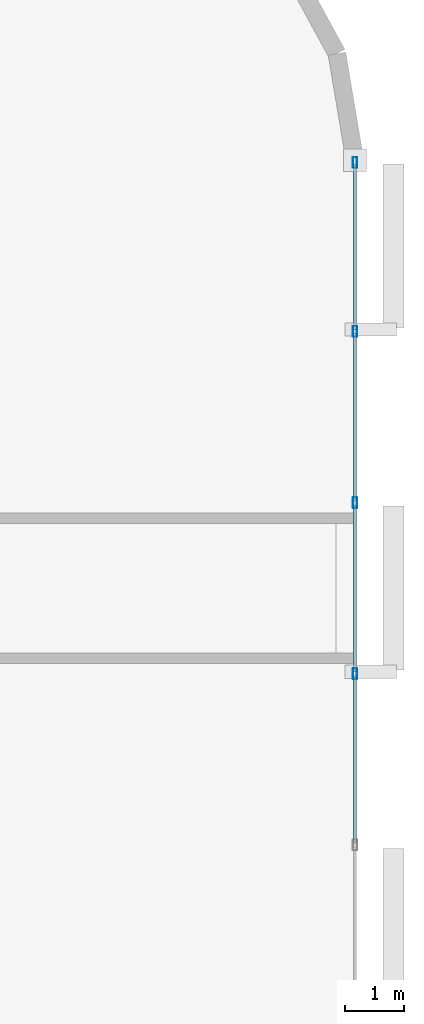
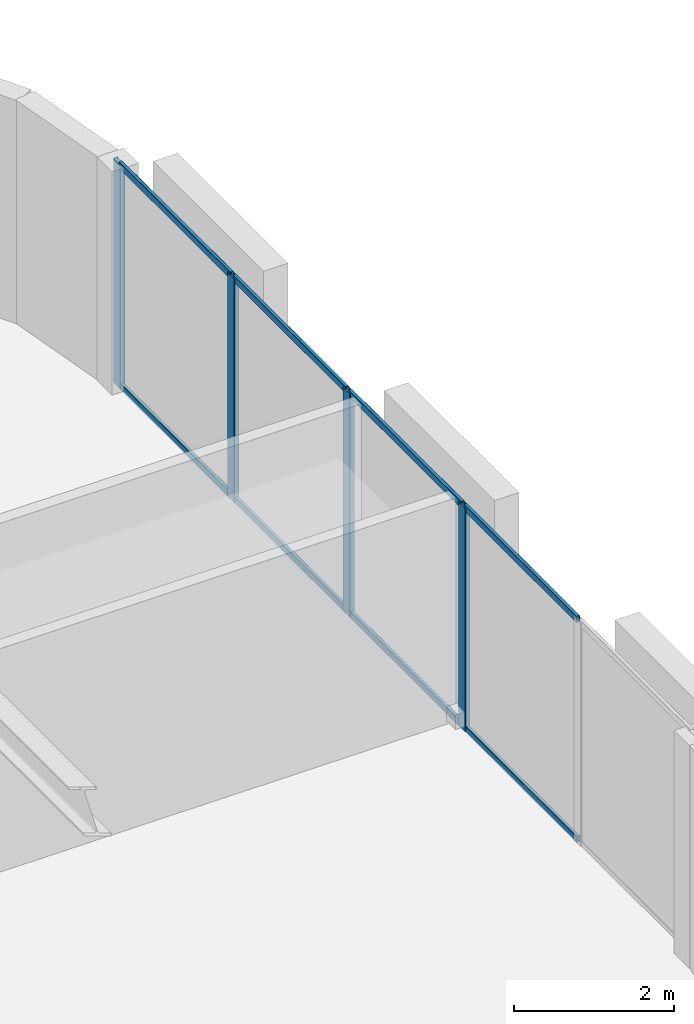
# One storey, part 6 of 15: 12 members, 1 element without a shape of its own.
"""IFC4 building model written with IfcOpenShell, lengths in metres."""

import ifcopenshell
import ifcopenshell.guid

model = None  # the IFC model being written
_history = None  # IfcOwnerHistory: only IFC2X3 demands one
_inside = {}  # id of a spatial element -> (the spatial element, [elements in it])
_under = {}  # id of a project, library or spatial element -> (it, [spatial elements below it])
_declared = {}  # id of a project -> (the project, [libraries it declares])
_typed = {}  # id of a type object -> (the type object, [elements of that type])
_made_of = {}  # id of a material, layer set ... -> (it, [elements and type objects made of it])


def new_model(schema):
    """Start an empty IFC model of exactly this schema.

    Asked for "IFC4X3", IfcOpenShell would pick the latest addendum, in which some entities
    have other attributes; the version numbers below select the first issue.
    IFC2X3 requires an IfcOwnerHistory on every rooted entity: one is made here for all.
    """
    global model, _history
    if schema == "IFC4X3":
        model = ifcopenshell.file(schema_version=(4, 3, 0, 0))
    else:
        model = ifcopenshell.file(schema=schema)
    _inside.clear()
    _under.clear()
    _declared.clear()
    _typed.clear()
    _made_of.clear()
    _history = None
    if model.schema == "IFC2X3":
        org = make("IfcOrganization", Name="unknown")
        user = make(
            "IfcPersonAndOrganization",
            ThePerson=make("IfcPerson", FamilyName="unknown"),
            TheOrganization=org,
        )
        app = make(
            "IfcApplication",
            ApplicationDeveloper=org,
            Version="unknown",
            ApplicationFullName="unknown",
            ApplicationIdentifier="unknown",
        )
        _history = make(
            "IfcOwnerHistory",
            OwningUser=user,
            OwningApplication=app,
            ChangeAction="ADDED",
            CreationDate=0,
        )
    return model


def make(cls, **values):
    """One entity of the class cls with the attributes given. An attribute that is None is left unset."""
    return model.create_entity(
        cls, **{name: value for name, value in values.items() if value is not None}
    )


def rooted(cls, **values):
    """An entity with a GlobalId (a new one), such as an element, a storey or a relation."""
    return make(cls, GlobalId=ifcopenshell.guid.new(), OwnerHistory=_history, **values)


def si_unit(unit_type, name, prefix=None):
    """IfcSIUnit, for example si_unit("LENGTHUNIT", "METRE", prefix="MILLI")."""
    return make("IfcSIUnit", UnitType=unit_type, Prefix=prefix, Name=name)


def assignment(units):
    """IfcUnitAssignment: the units of a project."""
    return None if units is None else make("IfcUnitAssignment", Units=units)


def point(xyz):
    """IfcCartesianPoint."""
    return None if xyz is None else make("IfcCartesianPoint", Coordinates=xyz)


def direction(xyz):
    """IfcDirection."""
    return None if xyz is None else make("IfcDirection", DirectionRatios=xyz)


def frame(location, z_axis=None, x_axis=None):
    """IfcAxis2Placement3D, a coordinate frame: its origin and axes. An axis left out is left unset."""
    return make(
        "IfcAxis2Placement3D",
        Location=point(location),
        Axis=direction(z_axis),
        RefDirection=direction(x_axis),
    )


def frame_2d(location, x_axis=None):
    """IfcAxis2Placement2D, a coordinate frame in the plane: its origin and x axis."""
    return make(
        "IfcAxis2Placement2D", Location=point(location), RefDirection=direction(x_axis)
    )


def origin():
    """The frame at (0, 0, 0) with its axes left unset."""
    return frame((0.0, 0.0, 0.0))


def origin_2d():
    """The frame at (0, 0) in the plane with its x axis left unset."""
    return frame_2d((0.0, 0.0))


def place(relative_to, where):
    """IfcLocalPlacement: puts the frame where relative to a parent placement (None: the world)."""
    return make(
        "IfcLocalPlacement", PlacementRelTo=relative_to, RelativePlacement=where
    )


def context(
    kind, dimensions, precision=None, world=None, true_north=None, identifier=None
):
    """IfcGeometricRepresentationContext, for example the 3D "Model" context."""
    return make(
        "IfcGeometricRepresentationContext",
        ContextIdentifier=identifier,
        ContextType=kind,
        CoordinateSpaceDimension=dimensions,
        Precision=precision,
        WorldCoordinateSystem=world,
        TrueNorth=true_north,
    )


def subcontext(parent, identifier, kind, view, scale=None):
    """IfcGeometricRepresentationSubContext, for example "Body" below "Model"."""
    return make(
        "IfcGeometricRepresentationSubContext",
        ContextIdentifier=identifier,
        ContextType=kind,
        ParentContext=parent,
        TargetScale=scale,
        TargetView=view,
    )


def project(units=None, contexts=None):
    """IfcProject with its units and contexts."""
    return rooted(
        "IfcProject",
        Name="project",
        RepresentationContexts=contexts,
        UnitsInContext=assignment(units),
    )


def spatial(cls, under=None, at=None, **own):
    """A site, building, storey or space (cls), placed at a placement, below another one or the project."""
    s = rooted(cls, ObjectPlacement=at, **own)
    if under is not None:
        _under.setdefault(under.id(), (under, []))[1].append(s)
    return s


def profile(cls, at=None, kind="AREA", **sizes):
    """A parametric profile (cls). Its sizes go by their IFC names, for example OverallWidth=200.0."""
    return make(cls, ProfileType=kind, Position=at, **sizes)


def hollow_rectangle(**sizes):
    """IfcRectangleHollowProfileDef."""
    return profile("IfcRectangleHollowProfileDef", **sizes)


def extrude(swept, where, along, depth):
    """IfcExtrudedAreaSolid: the profile swept, set in the frame where, extruded along a direction by depth."""
    return make(
        "IfcExtrudedAreaSolid",
        SweptArea=swept,
        Position=where,
        ExtrudedDirection=direction(along),
        Depth=depth,
    )


def shape(context_of_items, identifier, shape_type, items):
    """IfcShapeRepresentation: the items that make up one representation, for example the "Body"."""
    return make(
        "IfcShapeRepresentation",
        ContextOfItems=context_of_items,
        RepresentationIdentifier=identifier,
        RepresentationType=shape_type,
        Items=items,
    )


def material(Name=None, Category=None):
    """IfcMaterial."""
    return make("IfcMaterial", Name=Name, Category=Category)


def layer(
    of_material, thickness, ventilated=None, Name=None, Category=None, Priority=None
):
    """IfcMaterialLayer: one layer of a wall or slab, of a material (None: an air gap)."""
    return make(
        "IfcMaterialLayer",
        Material=of_material,
        LayerThickness=thickness,
        IsVentilated=ventilated,
        Name=Name,
        Category=Category,
        Priority=Priority,
    )


def layer_set(layers, Name=None):
    """IfcMaterialLayerSet."""
    return make("IfcMaterialLayerSet", MaterialLayers=layers, LayerSetName=Name)


def material_profile(
    of_material, cross_section, Name=None, Category=None, Priority=None
):
    """IfcMaterialProfile: a cross section and its material."""
    return make(
        "IfcMaterialProfile",
        Name=Name,
        Material=of_material,
        Profile=cross_section,
        Priority=Priority,
        Category=Category,
    )


def profile_set(profiles, Name=None, composite=None):
    """IfcMaterialProfileSet."""
    return make(
        "IfcMaterialProfileSet",
        Name=Name,
        MaterialProfiles=profiles,
        CompositeProfile=composite,
    )


def made_of(thing, what):
    """Note that an element or type object is made of a material, layer set ...; save() writes the relation."""
    if what is not None:
        _made_of.setdefault(what.id(), (what, []))[1].append(thing)
    return thing


def type_object(cls, material=None, **own):
    """A type object (cls), such as IfcWallType, which elements share."""
    return made_of(rooted(cls, **own), material)


def element(
    cls,
    number,
    at=None,
    inside=None,
    cuts=None,
    type_object=None,
    material=None,
    context=None,
    identifier="Body",
    shape_type=None,
    held_by="IfcProductDefinitionShape",
    body=None,
    shapes=None,
    **own,
):
    """One element of the class cls, such as IfcWall. Its Tag is "e" and its number.

    at: its placement. inside: the storey or other place that contains it. cuts: it is an
    opening in that element (IfcRelVoidsElement). A single representation is given by context,
    identifier, shape_type and body (its items); several are given by shapes. held_by: the class
    of the entity that holds the representations. save() writes the other relations.
    """
    e = rooted(cls, Tag="e%d" % number, ObjectPlacement=at, **own)
    if body is not None:
        shapes = [shape(context, identifier, shape_type, body)]
    if shapes is not None:
        e.Representation = make(held_by, Representations=shapes)
    if inside is not None:
        _inside.setdefault(inside.id(), (inside, []))[1].append(e)
    if cuts is not None:
        rooted(
            "IfcRelVoidsElement", RelatingBuildingElement=cuts, RelatedOpeningElement=e
        )
    if type_object is not None:
        _typed.setdefault(type_object.id(), (type_object, []))[1].append(e)
    return made_of(e, material)


def aggregate(whole, parts):
    """IfcRelAggregates: a whole, such as a stair, and the parts it consists of."""
    return rooted("IfcRelAggregates", RelatingObject=whole, RelatedObjects=parts)


def save(model, path):
    """Write the relations noted so far, then the file.

    IfcRelAggregates (storeys below a building ...), IfcRelContainedInSpatialStructure (elements
    in a storey), IfcRelDefinesByType, IfcRelAssociatesMaterial and IfcRelDeclares: one each for
    every whole, place, type object, material and project.
    """
    for whole, parts in _under.values():
        aggregate(whole, parts)
    for where, things in _inside.values():
        rooted(
            "IfcRelContainedInSpatialStructure",
            RelatedElements=things,
            RelatingStructure=where,
        )
    for kind, things in _typed.values():
        rooted("IfcRelDefinesByType", RelatedObjects=things, RelatingType=kind)
    for what, things in _made_of.values():
        rooted("IfcRelAssociatesMaterial", RelatedObjects=things, RelatingMaterial=what)
    for by, libraries in _declared.values():
        rooted("IfcRelDeclares", RelatingContext=by, RelatedDefinitions=libraries)
    model.write(path)


model = new_model("IFC4")

# Units and contexts
model_context = context("Model", 3, precision=1e-05, world=origin(), true_north=direction((0.0, 1.0)))
body_context = subcontext(model_context, "Body", "Model", "MODEL_VIEW")
ifc_project = project(units=[si_unit("LENGTHUNIT", "METRE"), si_unit("AREAUNIT", "SQUARE_METRE"), si_unit("VOLUMEUNIT", "CUBIC_METRE"), si_unit("PLANEANGLEUNIT", "RADIAN"), si_unit("MASSUNIT", "GRAM", prefix="KILO")], contexts=[model_context])

# Site, building, storey
site_placement = place(None, origin())
site = spatial("IfcSite", under=ifc_project, at=site_placement, CompositionType="ELEMENT")
building_placement = place(site_placement, origin())
building = spatial("IfcBuilding", under=site, at=building_placement, Name="An Khanh Terracotta Commons", CompositionType="ELEMENT")
storey_placement = place(building_placement, frame((0.0, 0.0, 179.800048828125)))
storey = spatial("IfcBuildingStorey", under=building, at=storey_placement, Name="L47", CompositionType="ELEMENT", Elevation=179.800048828125)

# Curtain wall, members
ifc_material = material(Name="Anodised Aluminium 6063-T6", Category="aluminium")
ifc_layer = layer(ifc_material, 0.2099609375, Name="Anodised Aluminium 6063-T6")
ifc_layer_set = layer_set([ifc_layer], Name="Anodised Aluminium 6063-T6")
curtain_wall_type = type_object("IfcCurtainWallType", Name="CW-SYS-03", PredefinedType="USERDEFINED", material=ifc_layer_set)
curtain_wall_placement = place(storey_placement, origin())
curtain_wall = element("IfcCurtainWall", 1, at=curtain_wall_placement, inside=storey, type_object=curtain_wall_type, Name="L47 CW-03 Unitised Curtain Wall CW-L47-12", ObjectType="UNITISED CURTAIN WALL", PredefinedType="USERDEFINED")
ifc_material_profile_1 = material_profile(ifc_material, hollow_rectangle(XDim=0.070068359375, YDim=0.179931640625, WallThickness=0.00390625, InnerFilletRadius=0.00390625, OuterFilletRadius=0.008056640625, at=origin_2d()), Name="RHS180x70x4")
ifc_profile_set_1 = profile_set([ifc_material_profile_1], Name="Anodised Aluminium 6063-T6")
member_type_1 = type_object("IfcMemberType", Name="CWM-RHS180x70x4", PredefinedType="MULLION", material=ifc_profile_set_1)
member_1_placement = place(storey_placement, frame((63.0, 22.56005859375, 0.0), z_axis=(0.0, 0.0, 1.0), x_axis=(-1.0, 0.0, 0.0)))
member_1 = element("IfcMember", 2, at=member_1_placement, type_object=member_type_1, Name="CW-03 mullion 3", PredefinedType="MULLION", context=body_context, shape_type="SweptSolid", body=[
    extrude(hollow_rectangle(XDim=0.070068359375, YDim=0.179931640625, WallThickness=0.00390625, InnerFilletRadius=0.00390625, OuterFilletRadius=0.008056640625, at=origin_2d()), origin(), (0.0, 0.0, 1.0), 3.39990234375),
])
member_2_placement = place(storey_placement, frame((63.0, 25.43994140625, 0.0), z_axis=(0.0, 0.0, 1.0), x_axis=(-1.0, 0.0, 0.0)))
member_2 = element("IfcMember", 3, at=member_2_placement, type_object=member_type_1, Name="CW-03 mullion 4", PredefinedType="MULLION", context=body_context, shape_type="SweptSolid", body=[
    extrude(hollow_rectangle(XDim=0.070068359375, YDim=0.179931640625, WallThickness=0.00390625, InnerFilletRadius=0.00390625, OuterFilletRadius=0.008056640625, at=origin_2d()), origin(), (0.0, 0.0, 1.0), 3.39990234375),
])
member_3_placement = place(storey_placement, frame((63.0, 28.320068359375, 0.0), z_axis=(0.0, 0.0, 1.0), x_axis=(-1.0, 0.0, 0.0)))
member_3 = element("IfcMember", 4, at=member_3_placement, type_object=member_type_1, Name="CW-03 mullion 5", PredefinedType="MULLION", context=body_context, shape_type="SweptSolid", body=[
    extrude(hollow_rectangle(XDim=0.070068359375, YDim=0.179931640625, WallThickness=0.00390625, InnerFilletRadius=0.00390625, OuterFilletRadius=0.008056640625, at=origin_2d()), origin(), (0.0, 0.0, 1.0), 3.39990234375),
])
member_4_placement = place(storey_placement, frame((63.0, 31.1650390625, 0.0), z_axis=(0.0, 0.0, 1.0), x_axis=(-1.0, 0.0, 0.0)))
member_4 = element("IfcMember", 5, at=member_4_placement, type_object=member_type_1, Name="CW-03 mullion 6", PredefinedType="MULLION", context=body_context, shape_type="SweptSolid", body=[
    extrude(hollow_rectangle(XDim=0.070068359375, YDim=0.179931640625, WallThickness=0.00390625, InnerFilletRadius=0.00390625, OuterFilletRadius=0.008056640625, at=origin_2d()), origin(), (0.0, 0.0, 1.0), 3.39990234375),
])
ifc_material_profile_2 = material_profile(ifc_material, hollow_rectangle(XDim=0.050048828125, YDim=0.10009765625, WallThickness=0.003173828125, InnerFilletRadius=0.003173828125, OuterFilletRadius=0.00634765625, at=origin_2d()), Name="RHS100x50x3.2")
ifc_profile_set_2 = profile_set([ifc_material_profile_2], Name="Anodised Aluminium 6063-T6")
member_type_2 = type_object("IfcMemberType", Name="CWT-RHS100x50x3.2", PredefinedType="USERDEFINED", material=ifc_profile_set_2)
member_5_placement = place(storey_placement, frame((63.0, 19.715087890625, 0.02490234375), z_axis=(0.0, 1.0, 0.0), x_axis=(-1.0, 0.0, 0.0)))
member_5 = element("IfcMember", 6, at=member_5_placement, type_object=member_type_2, Name="CW-03 transom 2.1", ObjectType="TRANSOM", PredefinedType="USERDEFINED", context=body_context, shape_type="SweptSolid", body=[
    extrude(hollow_rectangle(XDim=0.050048828125, YDim=0.10009765625, WallThickness=0.003173828125, InnerFilletRadius=0.003173828125, OuterFilletRadius=0.00634765625, at=origin_2d()), origin(), (0.0, 0.0, 1.0), 2.809814453125),
])
member_6_placement = place(storey_placement, frame((63.0, 19.715087890625, 3.375), z_axis=(0.0, 1.0, 0.0), x_axis=(-1.0, 0.0, 0.0)))
member_6 = element("IfcMember", 7, at=member_6_placement, type_object=member_type_2, Name="CW-03 transom 2.2", ObjectType="TRANSOM", PredefinedType="USERDEFINED", context=body_context, shape_type="SweptSolid", body=[
    extrude(hollow_rectangle(XDim=0.050048828125, YDim=0.10009765625, WallThickness=0.003173828125, InnerFilletRadius=0.003173828125, OuterFilletRadius=0.00634765625, at=origin_2d()), origin(), (0.0, 0.0, 1.0), 2.809814453125),
])
member_7_placement = place(storey_placement, frame((63.0, 22.594970703125, 0.02490234375), z_axis=(0.0, 1.0, 0.0), x_axis=(-1.0, 0.0, 0.0)))
member_7 = element("IfcMember", 8, at=member_7_placement, type_object=member_type_2, Name="CW-03 transom 3.1", ObjectType="TRANSOM", PredefinedType="USERDEFINED", context=body_context, shape_type="SweptSolid", body=[
    extrude(hollow_rectangle(XDim=0.050048828125, YDim=0.10009765625, WallThickness=0.003173828125, InnerFilletRadius=0.003173828125, OuterFilletRadius=0.00634765625, at=origin_2d()), origin(), (0.0, 0.0, 1.0), 2.81005859375),
])
member_8_placement = place(storey_placement, frame((63.0, 22.594970703125, 3.375), z_axis=(0.0, 1.0, 0.0), x_axis=(-1.0, 0.0, 0.0)))
member_8 = element("IfcMember", 9, at=member_8_placement, type_object=member_type_2, Name="CW-03 transom 3.2", ObjectType="TRANSOM", PredefinedType="USERDEFINED", context=body_context, shape_type="SweptSolid", body=[
    extrude(hollow_rectangle(XDim=0.050048828125, YDim=0.10009765625, WallThickness=0.003173828125, InnerFilletRadius=0.003173828125, OuterFilletRadius=0.00634765625, at=origin_2d()), origin(), (0.0, 0.0, 1.0), 2.81005859375),
])
member_9_placement = place(storey_placement, frame((63.0, 25.47509765625, 0.02490234375), z_axis=(0.0, 1.0, 0.0), x_axis=(-1.0, 0.0, 0.0)))
member_9 = element("IfcMember", 10, at=member_9_placement, type_object=member_type_2, Name="CW-03 transom 4.1", ObjectType="TRANSOM", PredefinedType="USERDEFINED", context=body_context, shape_type="SweptSolid", body=[
    extrude(hollow_rectangle(XDim=0.050048828125, YDim=0.10009765625, WallThickness=0.003173828125, InnerFilletRadius=0.003173828125, OuterFilletRadius=0.00634765625, at=origin_2d()), origin(), (0.0, 0.0, 1.0), 2.809814453125),
])
member_10_placement = place(storey_placement, frame((63.0, 25.47509765625, 3.375), z_axis=(0.0, 1.0, 0.0), x_axis=(-1.0, 0.0, 0.0)))
member_10 = element("IfcMember", 11, at=member_10_placement, type_object=member_type_2, Name="CW-03 transom 4.2", ObjectType="TRANSOM", PredefinedType="USERDEFINED", context=body_context, shape_type="SweptSolid", body=[
    extrude(hollow_rectangle(XDim=0.050048828125, YDim=0.10009765625, WallThickness=0.003173828125, InnerFilletRadius=0.003173828125, OuterFilletRadius=0.00634765625, at=origin_2d()), origin(), (0.0, 0.0, 1.0), 2.809814453125),
])
member_11_placement = place(storey_placement, frame((63.0, 28.35498046875, 0.02490234375), z_axis=(0.0, 1.0, 0.0), x_axis=(-1.0, 0.0, 0.0)))
member_11 = element("IfcMember", 12, at=member_11_placement, type_object=member_type_2, Name="CW-03 transom 5.1", ObjectType="TRANSOM", PredefinedType="USERDEFINED", context=body_context, shape_type="SweptSolid", body=[
    extrude(hollow_rectangle(XDim=0.050048828125, YDim=0.10009765625, WallThickness=0.003173828125, InnerFilletRadius=0.003173828125, OuterFilletRadius=0.00634765625, at=origin_2d()), origin(), (0.0, 0.0, 1.0), 2.77490234375),
])
member_12_placement = place(storey_placement, frame((63.0, 28.35498046875, 3.375), z_axis=(0.0, 1.0, 0.0), x_axis=(-1.0, 0.0, 0.0)))
member_12 = element("IfcMember", 13, at=member_12_placement, type_object=member_type_2, Name="CW-03 transom 5.2", ObjectType="TRANSOM", PredefinedType="USERDEFINED", context=body_context, shape_type="SweptSolid", body=[
    extrude(hollow_rectangle(XDim=0.050048828125, YDim=0.10009765625, WallThickness=0.003173828125, InnerFilletRadius=0.003173828125, OuterFilletRadius=0.00634765625, at=origin_2d()), origin(), (0.0, 0.0, 1.0), 2.77490234375),
])
aggregate(curtain_wall, [member_1, member_2, member_3, member_4, member_5, member_6, member_7, member_8, member_9, member_10, member_11, member_12])

save(model, "model.ifc")
